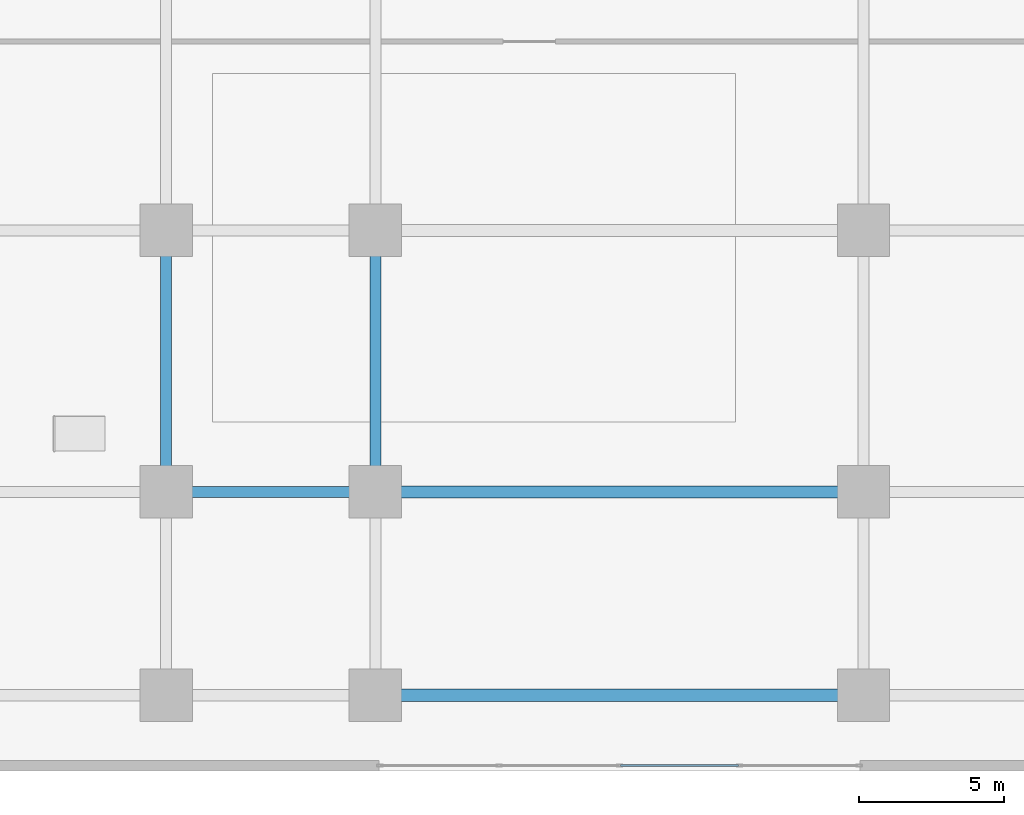
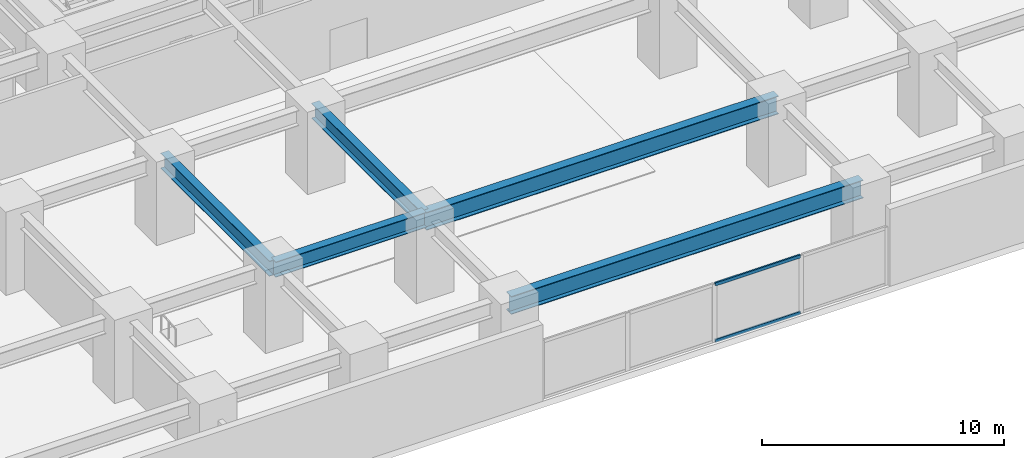
# One storey, part 3 of 22: 5 beams, 2 members, 1 element without a shape of its own.
"""IFC4 building model written with IfcOpenShell, lengths in metres."""

from ifc_helpers import new_model, si_unit, direction, frame, origin, origin_2d, place, context, subcontext, project, spatial, hollow_rectangle, i_section, extrude, material, layer, layer_set, material_profile, profile_set, type_object, element, aggregate, save


model = new_model("IFC4")

# Units and contexts
model_context = context("Model", 3, precision=1e-05, world=origin(), true_north=direction((0.0, 1.0)))
body_context = subcontext(model_context, "Body", "Model", "MODEL_VIEW")
ifc_project = project(units=[si_unit("LENGTHUNIT", "METRE"), si_unit("AREAUNIT", "SQUARE_METRE"), si_unit("VOLUMEUNIT", "CUBIC_METRE"), si_unit("PLANEANGLEUNIT", "RADIAN"), si_unit("MASSUNIT", "GRAM", prefix="KILO")], contexts=[model_context])

# Site, building, storey
site_placement = place(None, origin())
site = spatial("IfcSite", under=ifc_project, at=site_placement, CompositionType="ELEMENT")
building_placement = place(site_placement, origin())
building = spatial("IfcBuilding", under=site, at=building_placement, Name="Kiyonajd Concourse Tower", CompositionType="ELEMENT")
storey_placement = place(building_placement, frame((0.0, 0.0, 8.699951171875)))
storey = spatial("IfcBuildingStorey", under=building, at=storey_placement, Name="L03", CompositionType="ELEMENT", Elevation=8.699951171875)

# Beams
ifc_material_1 = material(Name="Steel ASTM A992 Grade 50", Category="steel")
ifc_material_profile_1 = material_profile(ifc_material_1, i_section(OverallWidth=0.41796875, OverallDepth=0.912109375, WebThickness=0.019287109375, FlangeThickness=0.031982421875, at=origin_2d()), Name="W920X342")
ifc_profile_set_1 = profile_set([ifc_material_profile_1], Name="Steel ASTM A992 Grade 50")
beam_type_1 = type_object("IfcBeamType", Name="BM-CON-920B", PredefinedType="BEAM", material=ifc_profile_set_1)
for number, where, z_axis, x_axis, name in (
    (1, (39.60009765625, 2.60009765625, 3.424072265625), (1.0, 0.0, 0.0), (0.0, 1.0, 0.0), "L03 Concourse Clear Span Girder"),
    (2, (39.60009765625, 9.60009765625, 3.424072265625), (1.0, 0.0, 0.0), (0.0, 1.0, 0.0), "L03 Concourse Clear Span Girder"),
):
    element("IfcBeam", number, at=place(storey_placement, frame(where, z_axis=z_axis, x_axis=x_axis)), inside=storey, type_object=beam_type_1, Name=name, PredefinedType="BEAM", context=body_context, shape_type="SweptSolid", body=[
        extrude(i_section(OverallWidth=0.41796875, OverallDepth=0.912109375, WebThickness=0.019287109375, FlangeThickness=0.031982421875, at=origin_2d()), origin(), (0.0, 0.0, 1.0), 16.7998046875),
    ])
ifc_material_profile_2 = material_profile(ifc_material_1, i_section(OverallWidth=0.381103515625, OverallDepth=0.77294921875, WebThickness=0.0166015625, FlangeThickness=0.027099609375, at=origin_2d()), Name="W760X257")
ifc_profile_set_2 = profile_set([ifc_material_profile_2], Name="Steel ASTM A992 Grade 50")
beam_type_2 = type_object("IfcBeamType", Name="BM-POD-760", PredefinedType="BEAM", material=ifc_profile_set_2)
beam_placement = place(storey_placement, frame((32.39990234375, 9.60009765625, 3.49365234375), z_axis=(1.0, 0.0, 0.0), x_axis=(0.0, 1.0, 0.0)))
element("IfcBeam", 3, at=beam_placement, inside=storey, type_object=beam_type_2, Name="L03 Podium Primary Beam", PredefinedType="BEAM", context=body_context, shape_type="SweptSolid", body=[
    extrude(i_section(OverallWidth=0.381103515625, OverallDepth=0.77294921875, WebThickness=0.0166015625, FlangeThickness=0.027099609375, at=origin_2d()), origin(), (0.0, 0.0, 1.0), 7.2001953125),
])
for number, where, z_axis, x_axis, name in (
    (4, (32.39990234375, 9.60009765625, 3.49365234375), (0.0, 1.0, 0.0), (-1.0, 0.0, 0.0), "L03 Podium North South Beam"),
    (5, (39.60009765625, 9.60009765625, 3.49365234375), (0.0, 1.0, 0.0), (-1.0, 0.0, 0.0), "L03 Podium North South Beam"),
):
    element("IfcBeam", number, at=place(storey_placement, frame(where, z_axis=z_axis, x_axis=x_axis)), inside=storey, type_object=beam_type_2, Name=name, PredefinedType="BEAM", context=body_context, shape_type="SweptSolid", body=[
        extrude(i_section(OverallWidth=0.381103515625, OverallDepth=0.77294921875, WebThickness=0.0166015625, FlangeThickness=0.027099609375, at=origin_2d()), origin(), (0.0, 0.0, 1.0), 9.0),
    ])

# Curtain wall, members
ifc_material_2 = material(Name="Thermally Broken Anodised Aluminium", Category="aluminium")
ifc_layer = layer(ifc_material_2, 0.179931640625)
ifc_layer_set = layer_set([ifc_layer], Name="Thermally Broken Anodised Aluminium")
curtain_wall_type = type_object("IfcCurtainWallType", Name="CW-SYS-01", PredefinedType="NOTDEFINED", material=ifc_layer_set)
curtain_wall_placement = place(storey_placement, origin())
curtain_wall = element("IfcCurtainWall", 6, at=curtain_wall_placement, inside=storey, type_object=curtain_wall_type, Name="L03 Unitised Curtain Wall CW1", PredefinedType="NOTDEFINED")
ifc_material_profile_3 = material_profile(ifc_material_2, hollow_rectangle(XDim=0.074951171875, YDim=0.159912109375, WallThickness=0.0048828125, at=origin_2d()), Name="TRAN-75x160")
ifc_profile_set_3 = profile_set([ifc_material_profile_3], Name="Thermally Broken Anodised Aluminium")
member_type = type_object("IfcMemberType", Name="MB-CW-TRAN2", PredefinedType="USERDEFINED", material=ifc_profile_set_3)
member_1_placement = place(storey_placement, frame((52.1025390625, 0.179931640625, 0.03759765625), z_axis=(-1.0, 0.0, 0.0), x_axis=(0.0, -1.0, 0.0)))
member_1 = element("IfcMember", 7, at=member_1_placement, type_object=member_type, Name="CW1 transom 2.1", ObjectType="TRANSOM", PredefinedType="USERDEFINED", context=body_context, shape_type="SweptSolid", body=[
    extrude(hollow_rectangle(XDim=0.074951171875, YDim=0.159912109375, WallThickness=0.0048828125, at=origin_2d()), origin(), (0.0, 0.0, 1.0), 4.06494140625),
])
member_2_placement = place(storey_placement, frame((52.1025390625, 0.179931640625, 2.892578125), z_axis=(-1.0, 0.0, 0.0), x_axis=(0.0, -1.0, 0.0)))
member_2 = element("IfcMember", 8, at=member_2_placement, type_object=member_type, Name="CW1 transom 2.2", ObjectType="TRANSOM", PredefinedType="USERDEFINED", context=body_context, shape_type="SweptSolid", body=[
    extrude(hollow_rectangle(XDim=0.074951171875, YDim=0.159912109375, WallThickness=0.0048828125, at=origin_2d()), origin(), (0.0, 0.0, 1.0), 4.06494140625),
])
aggregate(curtain_wall, [member_1, member_2])

save(model, "model.ifc")
